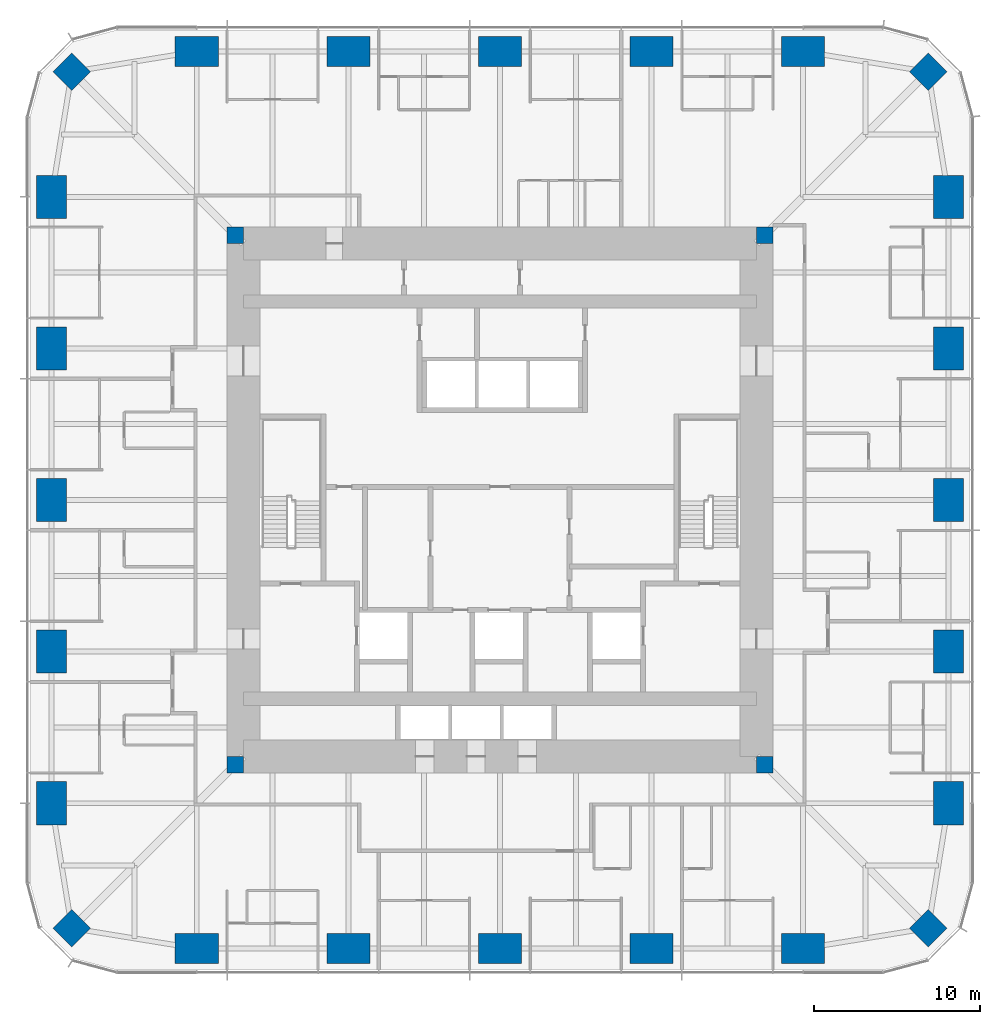
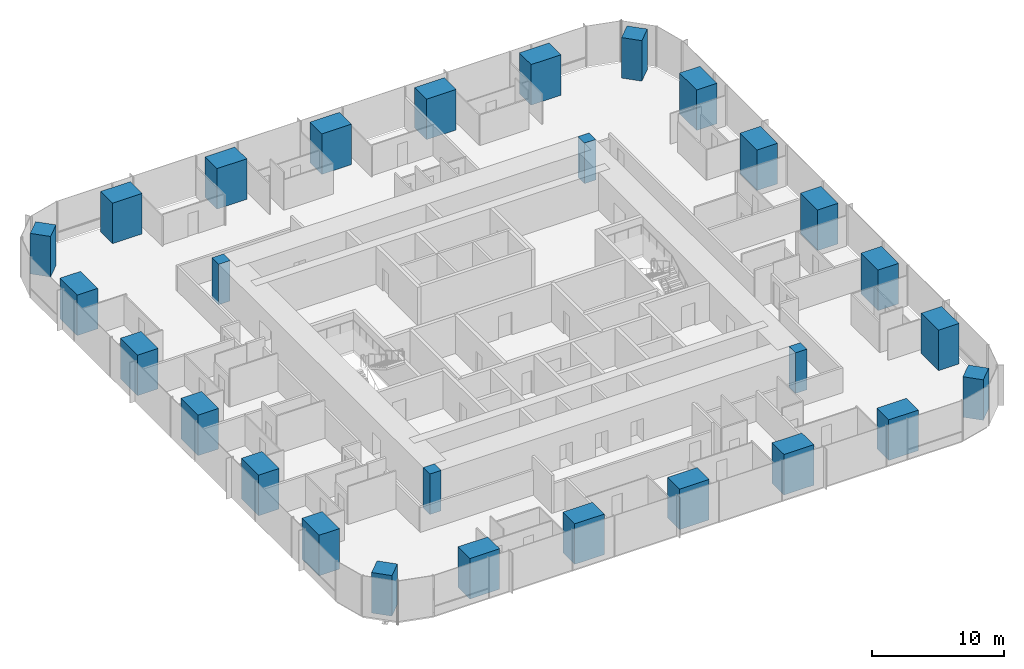
# One storey, part 1 of 13: 28 columns.
"""IFC4 building model written with IfcOpenShell, lengths in metres."""

from ifc_helpers import new_model, si_unit, direction, frame, origin, origin_2d, place, context, subcontext, project, spatial, rectangle, extrude, material, material_profile, profile_set, type_object, element, save


model = new_model("IFC4")

# Units and contexts
model_context = context("Model", 3, precision=1e-05, world=origin(), true_north=direction((0.0, 1.0)))
body_context = subcontext(model_context, "Body", "Model", "MODEL_VIEW")
ifc_project = project(units=[si_unit("LENGTHUNIT", "METRE"), si_unit("AREAUNIT", "SQUARE_METRE"), si_unit("VOLUMEUNIT", "CUBIC_METRE"), si_unit("PLANEANGLEUNIT", "RADIAN"), si_unit("MASSUNIT", "GRAM", prefix="KILO")], contexts=[model_context])

# Site, building, storey
site_placement = place(None, origin())
site = spatial("IfcSite", under=ifc_project, at=site_placement, CompositionType="ELEMENT")
building_placement = place(site_placement, origin())
building = spatial("IfcBuilding", under=site, at=building_placement, Name="Khuree Lantern Residences", CompositionType="ELEMENT")
storey_placement = place(building_placement, frame((0.0, 0.0, 159.75)))
storey = spatial("IfcBuildingStorey", under=building, at=storey_placement, Name="L40", CompositionType="ELEMENT", Elevation=159.75)

# Columns
ifc_material = material(Name="Concrete C70/85", Category="concrete")
ifc_material_profile_1 = material_profile(ifc_material, rectangle(XDim=1.60009765625, YDim=1.60009765625, at=origin_2d()), Name="RC 1600X1600")
ifc_profile_set_1 = profile_set([ifc_material_profile_1], Name="Concrete C70/85")
column_type_1 = type_object("IfcColumnType", Name="CC1600A PERIMETER CORNER COLUMN RC 1600X1600", PredefinedType="COLUMN", material=ifc_profile_set_1)
for number, where, z_axis, x_axis, name in (
    (1, (25.869873046875, 25.869873046875, 0.0), (0.0, 0.0, 1.0), (0.707106781187, -0.707106781187, 0.0), "Perimeter column NE"),
    (2, (25.869873046875, -25.869873046875, 0.0), (0.0, 0.0, 1.0), (0.707106781187, 0.707106781187, 0.0), "Perimeter column SE"),
    (3, (-25.869873046875, -25.869873046875, 0.0), (0.0, 0.0, 1.0), (0.707106781187, -0.707106781187, 0.0), "Perimeter column SW"),
    (4, (-25.869873046875, 25.869873046875, 0.0), (0.0, 0.0, 1.0), (0.707106781187, 0.707106781187, 0.0), "Perimeter column NW"),
):
    element("IfcColumn", number, at=place(storey_placement, frame(where, z_axis=z_axis, x_axis=x_axis)), inside=storey, type_object=column_type_1, Name=name, PredefinedType="COLUMN", context=body_context, shape_type="SweptSolid", body=[
        extrude(rectangle(XDim=1.60009765625, YDim=1.60009765625, at=origin_2d()), origin(), (0.0, 0.0, 1.0), 3.75),
    ])
ifc_material_profile_2 = material_profile(ifc_material, rectangle(XDim=1.0, YDim=1.0, at=origin_2d()), Name="RC 1000X1000")
ifc_profile_set_2 = profile_set([ifc_material_profile_2], Name="Concrete C70/85")
column_type_2 = type_object("IfcColumnType", Name="CP1000-C70 CORE CORNER PIER C70 RC 1000X1000", PredefinedType="COLUMN", material=ifc_profile_set_2)
for number, where, z_axis, x_axis, name in (
    (5, (16.0, 16.0, -0.25), (0.0, 0.0, 1.0), (1.0, 0.0, 0.0), "Core corner pier NE"),
    (6, (-16.0, 16.0, -0.25), (0.0, 0.0, 1.0), (1.0, 0.0, 0.0), "Core corner pier NW"),
    (7, (-16.0, -16.0, -0.25), (0.0, 0.0, 1.0), (1.0, 0.0, 0.0), "Core corner pier SW"),
    (8, (16.0, -16.0, -0.25), (0.0, 0.0, 1.0), (1.0, 0.0, 0.0), "Core corner pier SE"),
):
    element("IfcColumn", number, at=place(storey_placement, frame(where, z_axis=z_axis, x_axis=x_axis)), inside=storey, type_object=column_type_2, Name=name, PredefinedType="COLUMN", context=body_context, shape_type="SweptSolid", body=[
        extrude(rectangle(XDim=1.0, YDim=1.0, at=origin_2d()), origin(), (0.0, 0.0, 1.0), 3.75),
    ])
ifc_material_profile_3 = material_profile(ifc_material, rectangle(XDim=2.60009765625, YDim=1.800048828125, at=origin_2d()), Name="RC 2600X1800")
ifc_profile_set_3 = profile_set([ifc_material_profile_3], Name="Concrete C70/85")
column_type_3 = type_object("IfcColumnType", Name="PC3 PERIMETER COLUMN RC 2600X1800", PredefinedType="COLUMN", material=ifc_profile_set_3)
for number, where, z_axis, x_axis, name in (
    (9, (-18.320068359375, 27.10009765625, 0.0), (0.0, 0.0, 1.0), (1.0, 0.0, 0.0), "Perimeter column N1"),
    (10, (-9.159912109375, 27.10009765625, 0.0), (0.0, 0.0, 1.0), (1.0, 0.0, 0.0), "Perimeter column N2"),
    (11, (0.0, 27.10009765625, 0.0), (0.0, 0.0, 1.0), (1.0, 0.0, 0.0), "Perimeter column N3"),
    (12, (9.159912109375, 27.10009765625, 0.0), (0.0, 0.0, 1.0), (1.0, 0.0, 0.0), "Perimeter column N4"),
    (13, (18.320068359375, 27.10009765625, 0.0), (0.0, 0.0, 1.0), (1.0, 0.0, 0.0), "Perimeter column N5"),
    (14, (27.10009765625, 18.320068359375, 0.0), (0.0, 0.0, 1.0), (0.0, 1.0, 0.0), "Perimeter column E1"),
    (15, (27.10009765625, 9.159912109375, 0.0), (0.0, 0.0, 1.0), (0.0, 1.0, 0.0), "Perimeter column E2"),
    (16, (27.10009765625, 0.0, 0.0), (0.0, 0.0, 1.0), (0.0, 1.0, 0.0), "Perimeter column E3"),
    (17, (27.10009765625, -9.159912109375, 0.0), (0.0, 0.0, 1.0), (0.0, 1.0, 0.0), "Perimeter column E4"),
    (18, (27.10009765625, -18.320068359375, 0.0), (0.0, 0.0, 1.0), (0.0, 1.0, 0.0), "Perimeter column E5"),
    (19, (18.320068359375, -27.10009765625, 0.0), (0.0, 0.0, 1.0), (1.0, 0.0, 0.0), "Perimeter column S1"),
    (20, (9.159912109375, -27.10009765625, 0.0), (0.0, 0.0, 1.0), (1.0, 0.0, 0.0), "Perimeter column S2"),
    (21, (0.0, -27.10009765625, 0.0), (0.0, 0.0, 1.0), (1.0, 0.0, 0.0), "Perimeter column S3"),
    (22, (-9.159912109375, -27.10009765625, 0.0), (0.0, 0.0, 1.0), (1.0, 0.0, 0.0), "Perimeter column S4"),
    (23, (-18.320068359375, -27.10009765625, 0.0), (0.0, 0.0, 1.0), (1.0, 0.0, 0.0), "Perimeter column S5"),
    (24, (-27.10009765625, -18.320068359375, 0.0), (0.0, 0.0, 1.0), (0.0, 1.0, 0.0), "Perimeter column W1"),
    (25, (-27.10009765625, -9.159912109375, 0.0), (0.0, 0.0, 1.0), (0.0, 1.0, 0.0), "Perimeter column W2"),
    (26, (-27.10009765625, 0.0, 0.0), (0.0, 0.0, 1.0), (0.0, 1.0, 0.0), "Perimeter column W3"),
    (27, (-27.10009765625, 9.159912109375, 0.0), (0.0, 0.0, 1.0), (0.0, 1.0, 0.0), "Perimeter column W4"),
    (28, (-27.10009765625, 18.320068359375, 0.0), (0.0, 0.0, 1.0), (0.0, 1.0, 0.0), "Perimeter column W5"),
):
    element("IfcColumn", number, at=place(storey_placement, frame(where, z_axis=z_axis, x_axis=x_axis)), inside=storey, type_object=column_type_3, Name=name, PredefinedType="COLUMN", context=body_context, shape_type="SweptSolid", body=[
        extrude(rectangle(XDim=2.60009765625, YDim=1.800048828125, at=origin_2d()), origin(), (0.0, 0.0, 1.0), 3.75),
    ])

save(model, "model.ifc")
